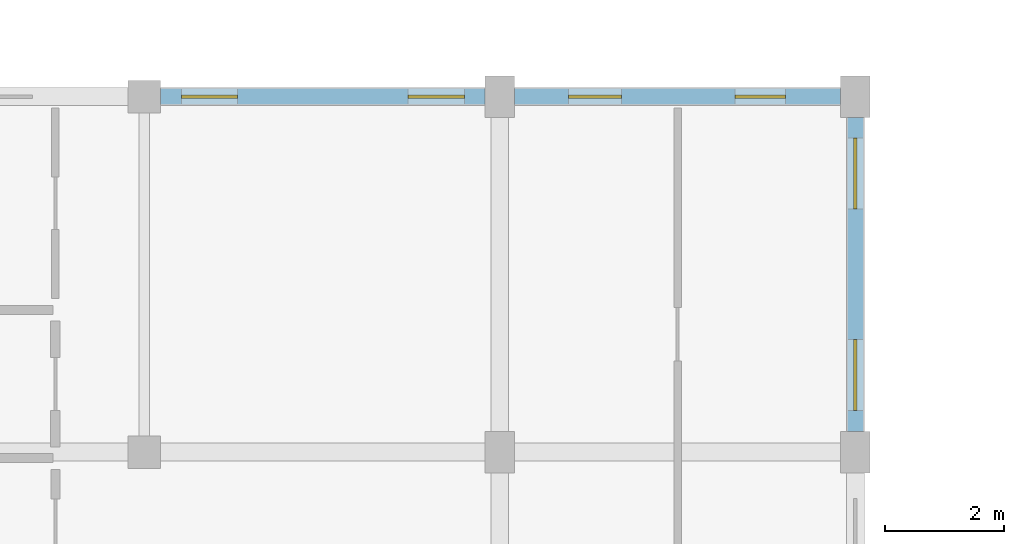
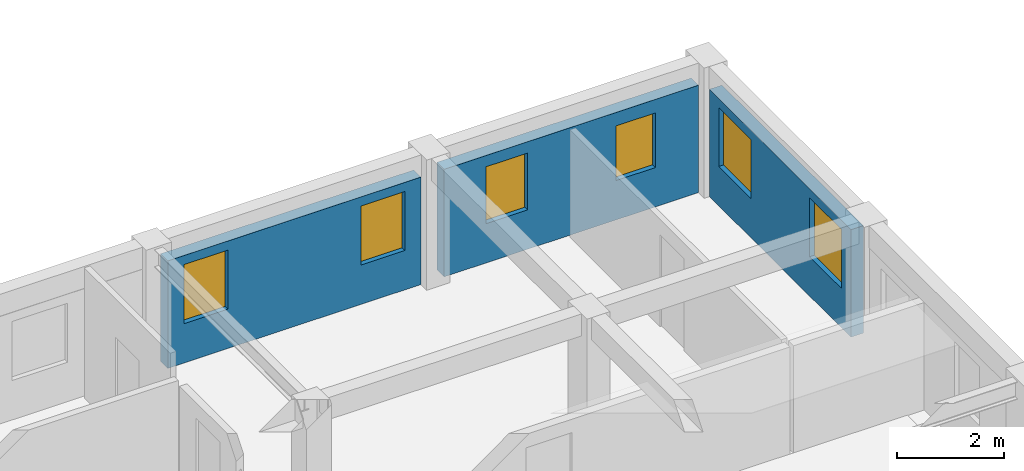
# One storey, part 10 of 28: 6 windows, 3 walls, 6 openings.
"""IFC4 building model written with IfcOpenShell, lengths in metres."""

from ifc_helpers import new_model, si_unit, direction, frame, frame_2d, origin, place, context, subcontext, project, spatial, rectangle, extrude, material, layer, layer_set, type_object, element, fill, save


model = new_model("IFC4")

# Units and contexts
model_context = context("Model", 3, precision=1e-05, world=origin(), true_north=direction((0.0, 1.0)))
body_context = subcontext(model_context, "Body", "Model", "MODEL_VIEW")
ifc_project = project(units=[si_unit("LENGTHUNIT", "METRE"), si_unit("AREAUNIT", "SQUARE_METRE"), si_unit("VOLUMEUNIT", "CUBIC_METRE"), si_unit("PLANEANGLEUNIT", "RADIAN"), si_unit("MASSUNIT", "GRAM", prefix="KILO"), si_unit("POWERUNIT", "WATT"), si_unit("THERMODYNAMICTEMPERATUREUNIT", "KELVIN")], contexts=[model_context])

# Site, building, storey
site_placement = place(None, origin())
site = spatial("IfcSite", under=ifc_project, at=site_placement, CompositionType="ELEMENT")
building_placement = place(site_placement, origin())
building = spatial("IfcBuilding", under=site, at=building_placement, Name="Ruvembo Vaulted Housing Court", CompositionType="ELEMENT")
storey_placement = place(building_placement, frame((0.0, 0.0, 23.699951171875)))
storey = spatial("IfcBuildingStorey", under=building, at=storey_placement, Name="L07", CompositionType="ELEMENT", Elevation=23.699951171875)

# Wall, openings, windows
ifc_material_1 = material(Name="Rendered Masonry 270", Category="masonry")
ifc_layer = layer(ifc_material_1, 0.27001953125, Name="Rendered Masonry 270")
ifc_layer_set = layer_set([ifc_layer], Name="Rendered Masonry 270")
wall_type = type_object("IfcWallType", Name="WL-EXT-270", PredefinedType="STANDARD", material=ifc_layer_set)
wall_1_placement = place(storey_placement, frame((36.0, 30.35009765625, 0.0), z_axis=(0.0, 0.0, 1.0), x_axis=(0.0, 1.0, 0.0)))
wall_1 = element("IfcWall", 1, at=wall_1_placement, inside=storey, type_object=wall_type, Name="Block A L07 Exterior Wall EAST #5", PredefinedType="STANDARD", context=body_context, shape_type="SweptSolid", body=[
    extrude(rectangle(XDim=5.2998046875, YDim=0.27001953125, at=frame_2d((2.64990234375, 0.0))), origin(), (0.0, 0.0, 1.0), 2.45703125),
])
opening_1_placement = place(wall_1_placement, frame((0.35009765625, 0.0, 0.89990234375)))
opening_1 = element("IfcOpeningElement", 2, at=opening_1_placement, cuts=wall_1, Name="Opening W12", PredefinedType="OPENING", context=body_context, shape_type="SweptSolid", body=[
    extrude(rectangle(XDim=1.199951171875, YDim=1.35009765625, at=frame_2d((0.60009765625, 0.675048828125))), frame((0.0, 0.14501953125, 0.0), z_axis=(0.0, -1.0, 0.0), x_axis=(1.0, 0.0, 0.0)), (0.0, 0.0, 1.0), 0.2900390625),
])
opening_2_placement = place(wall_1_placement, frame((3.75, 0.0, 0.89990234375)))
opening_2 = element("IfcOpeningElement", 3, at=opening_2_placement, cuts=wall_1, Name="Opening W12", PredefinedType="OPENING", context=body_context, shape_type="SweptSolid", body=[
    extrude(rectangle(XDim=1.199951171875, YDim=1.35009765625, at=frame_2d((0.60009765625, 0.675048828125))), frame((0.0, 0.14501953125, 0.0), z_axis=(0.0, -1.0, 0.0), x_axis=(1.0, 0.0, 0.0)), (0.0, 0.0, 1.0), 0.2900390625),
])
ifc_material_2 = material(Name="Double Solar-Control Glazing in Aluminium Frame", Category="aluminium")
window_type_1 = type_object("IfcWindowType", Name="WIN-1200x1350", PartitioningType="SINGLE_PANEL", PredefinedType="WINDOW", material=ifc_material_2)
window_1_placement = place(opening_1_placement, origin())
window_1 = element("IfcWindow", 4, at=window_1_placement, inside=storey, type_object=window_type_1, Name="Block A L07 Window #317", OverallHeight=1.35009765625, OverallWidth=1.199951171875, PartitioningType="SINGLE_PANEL", PredefinedType="WINDOW", context=body_context, shape_type="SweptSolid", body=[
    extrude(rectangle(XDim=1.199951171875, YDim=1.35009765625, at=frame_2d((0.60009765625, 0.675048828125))), frame((0.0, 0.030029296875, 0.0), z_axis=(0.0, -1.0, 0.0), x_axis=(1.0, 0.0, 0.0)), (0.0, 0.0, 1.0), 0.06005859375),
])
fill(opening_1, window_1)
window_2_placement = place(opening_2_placement, origin())
window_2 = element("IfcWindow", 5, at=window_2_placement, inside=storey, type_object=window_type_1, Name="Block A L07 Window #318", OverallHeight=1.35009765625, OverallWidth=1.199951171875, PartitioningType="SINGLE_PANEL", PredefinedType="WINDOW", context=body_context, shape_type="SweptSolid", body=[
    extrude(rectangle(XDim=1.199951171875, YDim=1.35009765625, at=frame_2d((0.60009765625, 0.675048828125))), frame((0.0, 0.030029296875, 0.0), z_axis=(0.0, -1.0, 0.0), x_axis=(1.0, 0.0, 0.0)), (0.0, 0.0, 1.0), 0.06005859375),
])
fill(opening_2, window_2)

wall_2_placement = place(storey_placement, frame((35.75, 36.0, 0.0), z_axis=(0.0, 0.0, 1.0), x_axis=(-1.0, 0.0, 0.0)))
wall_2 = element("IfcWall", 6, at=wall_2_placement, inside=storey, type_object=wall_type, Name="Block A L07 Exterior Wall COURTYARD #1", PredefinedType="STANDARD", context=body_context, shape_type="SweptSolid", body=[
    extrude(rectangle(XDim=5.5, YDim=0.27001953125, at=frame_2d((2.75, 0.0))), origin(), (0.0, 0.0, 1.0), 2.45703125),
])
opening_3_placement = place(wall_2_placement, frame((0.929931640625, 0.0, 0.89990234375)))
opening_3 = element("IfcOpeningElement", 7, at=opening_3_placement, cuts=wall_2, Name="Opening W03", PredefinedType="OPENING", context=body_context, shape_type="SweptSolid", body=[
    extrude(rectangle(XDim=0.85009765625, YDim=1.25, at=frame_2d((0.425048828125, 0.625))), frame((0.0, 0.14501953125, 0.0), z_axis=(0.0, -1.0, 0.0), x_axis=(1.0, 0.0, 0.0)), (0.0, 0.0, 1.0), 0.2900390625),
])
opening_4_placement = place(wall_2_placement, frame((3.695068359375, 0.0, 0.89990234375)))
opening_4 = element("IfcOpeningElement", 8, at=opening_4_placement, cuts=wall_2, Name="Opening W04", PredefinedType="OPENING", context=body_context, shape_type="SweptSolid", body=[
    extrude(rectangle(XDim=0.89990234375, YDim=1.300048828125, at=frame_2d((0.449951171875, 0.64990234375))), frame((0.0, 0.14501953125, 0.0), z_axis=(0.0, -1.0, 0.0), x_axis=(1.0, 0.0, 0.0)), (0.0, 0.0, 1.0), 0.2900390625),
])
window_type_2 = type_object("IfcWindowType", Name="WIN-0850x1250", PartitioningType="SINGLE_PANEL", PredefinedType="WINDOW", material=ifc_material_2)
window_3_placement = place(opening_3_placement, origin())
window_3 = element("IfcWindow", 9, at=window_3_placement, inside=storey, type_object=window_type_2, Name="Block A L07 Window #319", OverallHeight=1.25, OverallWidth=0.85009765625, PartitioningType="SINGLE_PANEL", PredefinedType="WINDOW", context=body_context, shape_type="SweptSolid", body=[
    extrude(rectangle(XDim=0.85009765625, YDim=1.25, at=frame_2d((0.425048828125, 0.625))), frame((0.0, 0.030029296875, 0.0), z_axis=(0.0, -1.0, 0.0), x_axis=(1.0, 0.0, 0.0)), (0.0, 0.0, 1.0), 0.06005859375),
])
fill(opening_3, window_3)
window_type_3 = type_object("IfcWindowType", Name="WIN-0900x1300", PartitioningType="SINGLE_PANEL", PredefinedType="WINDOW", material=ifc_material_2)
window_4_placement = place(opening_4_placement, origin())
window_4 = element("IfcWindow", 10, at=window_4_placement, inside=storey, type_object=window_type_3, Name="Block A L07 Window #320", OverallHeight=1.300048828125, OverallWidth=0.89990234375, PartitioningType="SINGLE_PANEL", PredefinedType="WINDOW", context=body_context, shape_type="SweptSolid", body=[
    extrude(rectangle(XDim=0.89990234375, YDim=1.300048828125, at=frame_2d((0.449951171875, 0.64990234375))), frame((0.0, 0.030029296875, 0.0), z_axis=(0.0, -1.0, 0.0), x_axis=(1.0, 0.0, 0.0)), (0.0, 0.0, 1.0), 0.06005859375),
])
fill(opening_4, window_4)

wall_3_placement = place(storey_placement, frame((29.75, 36.0, 0.0), z_axis=(0.0, 0.0, 1.0), x_axis=(-1.0, 0.0, 0.0)))
wall_3 = element("IfcWall", 11, at=wall_3_placement, inside=storey, type_object=wall_type, Name="Block A L07 Exterior Wall COURTYARD #2", PredefinedType="STANDARD", context=body_context, shape_type="SweptSolid", body=[
    extrude(rectangle(XDim=5.47509765625, YDim=0.27001953125, at=frame_2d((2.737548828125, 0.0))), origin(), (0.0, 0.0, 1.0), 2.45703125),
])
opening_5_placement = place(wall_3_placement, frame((0.35009765625, 0.0, 0.89990234375)))
opening_5 = element("IfcOpeningElement", 12, at=opening_5_placement, cuts=wall_3, Name="Opening W07", PredefinedType="OPENING", context=body_context, shape_type="SweptSolid", body=[
    extrude(rectangle(XDim=0.949951171875, YDim=1.35009765625, at=frame_2d((0.47509765625, 0.675048828125))), frame((0.0, 0.14501953125, 0.0), z_axis=(0.0, -1.0, 0.0), x_axis=(1.0, 0.0, 0.0)), (0.0, 0.0, 1.0), 0.2900390625),
])
opening_6_placement = place(wall_3_placement, frame((4.175048828125, 0.0, 0.89990234375)))
opening_6 = element("IfcOpeningElement", 13, at=opening_6_placement, cuts=wall_3, Name="Opening W07", PredefinedType="OPENING", context=body_context, shape_type="SweptSolid", body=[
    extrude(rectangle(XDim=0.949951171875, YDim=1.35009765625, at=frame_2d((0.47509765625, 0.675048828125))), frame((0.0, 0.14501953125, 0.0), z_axis=(0.0, -1.0, 0.0), x_axis=(1.0, 0.0, 0.0)), (0.0, 0.0, 1.0), 0.2900390625),
])
window_type_4 = type_object("IfcWindowType", Name="WIN-0950x1350", PartitioningType="SINGLE_PANEL", PredefinedType="WINDOW", material=ifc_material_2)
window_5_placement = place(opening_5_placement, origin())
window_5 = element("IfcWindow", 14, at=window_5_placement, inside=storey, type_object=window_type_4, Name="Block A L07 Window #321", OverallHeight=1.35009765625, OverallWidth=0.949951171875, PartitioningType="SINGLE_PANEL", PredefinedType="WINDOW", context=body_context, shape_type="SweptSolid", body=[
    extrude(rectangle(XDim=0.949951171875, YDim=1.35009765625, at=frame_2d((0.47509765625, 0.675048828125))), frame((0.0, 0.030029296875, 0.0), z_axis=(0.0, -1.0, 0.0), x_axis=(1.0, 0.0, 0.0)), (0.0, 0.0, 1.0), 0.06005859375),
])
fill(opening_5, window_5)
window_6_placement = place(opening_6_placement, origin())
window_6 = element("IfcWindow", 15, at=window_6_placement, inside=storey, type_object=window_type_4, Name="Block A L07 Window #322", OverallHeight=1.35009765625, OverallWidth=0.949951171875, PartitioningType="SINGLE_PANEL", PredefinedType="WINDOW", context=body_context, shape_type="SweptSolid", body=[
    extrude(rectangle(XDim=0.949951171875, YDim=1.35009765625, at=frame_2d((0.47509765625, 0.675048828125))), frame((0.0, 0.030029296875, 0.0), z_axis=(0.0, -1.0, 0.0), x_axis=(1.0, 0.0, 0.0)), (0.0, 0.0, 1.0), 0.06005859375),
])
fill(opening_6, window_6)

save(model, "model.ifc")
